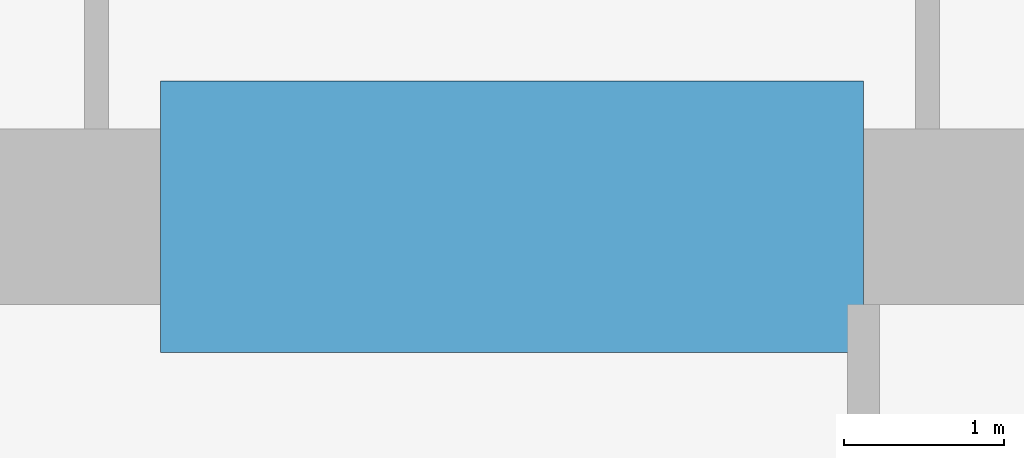
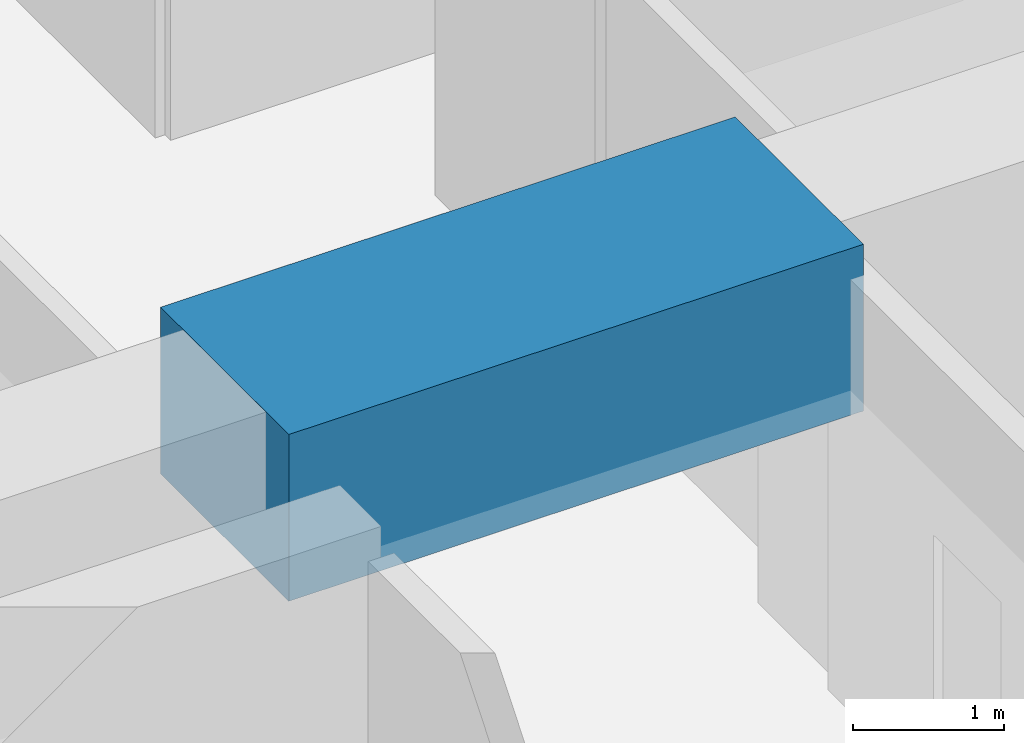
# One storey, part 19 of 45: 1 beam.
"""IFC4 building model written with IfcOpenShell, lengths in metres."""

from ifc_helpers import new_model, si_unit, direction, frame, origin, origin_2d, place, context, subcontext, project, spatial, rectangle, extrude, material, material_profile, profile_set, type_object, element, save


model = new_model("IFC4")

# Units and contexts
model_context = context("Model", 3, precision=1e-05, world=origin(), true_north=direction((0.0, 1.0)))
body_context = subcontext(model_context, "Body", "Model", "MODEL_VIEW")
ifc_project = project(units=[si_unit("LENGTHUNIT", "METRE"), si_unit("AREAUNIT", "SQUARE_METRE"), si_unit("VOLUMEUNIT", "CUBIC_METRE"), si_unit("PLANEANGLEUNIT", "RADIAN"), si_unit("MASSUNIT", "GRAM", prefix="KILO")], contexts=[model_context])

# Site, building, storey
site_placement = place(None, origin())
site = spatial("IfcSite", under=ifc_project, at=site_placement, CompositionType="ELEMENT")
building_placement = place(site_placement, origin())
building = spatial("IfcBuilding", under=site, at=building_placement, Name="Rekha Terrace Tower", CompositionType="ELEMENT")
storey_placement = place(building_placement, frame((0.0, 0.0, 77.89990234375)))
storey = spatial("IfcBuildingStorey", under=building, at=storey_placement, Name="L19", CompositionType="ELEMENT", Elevation=77.89990234375)

# Beam
ifc_material = material(Name="Concrete M70", Category="concrete")
ifc_material_profile = material_profile(ifc_material, rectangle(XDim=1.699951171875, YDim=1.35009765625, at=origin_2d()), Name="RC 1700x1350")
ifc_profile_set = profile_set([ifc_material_profile], Name="Concrete M70")
beam_type = type_object("IfcBeamType", Name="LB1A 1700x1350 diagonally reinforced coupling beam", PredefinedType="LINTEL", material=ifc_profile_set)
beam_placement = place(storey_placement, frame((35.60009765625, 46.199951171875, 3.0751953125), z_axis=(1.0, 0.0, 0.0), x_axis=(0.0, 1.0, 0.0)))
element("IfcBeam", 1, at=beam_placement, inside=storey, type_object=beam_type, Name="Coupling beam LB1A N L19", PredefinedType="LINTEL", context=body_context, shape_type="SweptSolid", body=[
    extrude(rectangle(XDim=1.699951171875, YDim=1.35009765625, at=origin_2d()), origin(), (0.0, 0.0, 1.0), 4.39990234375),
])

save(model, "model.ifc")
